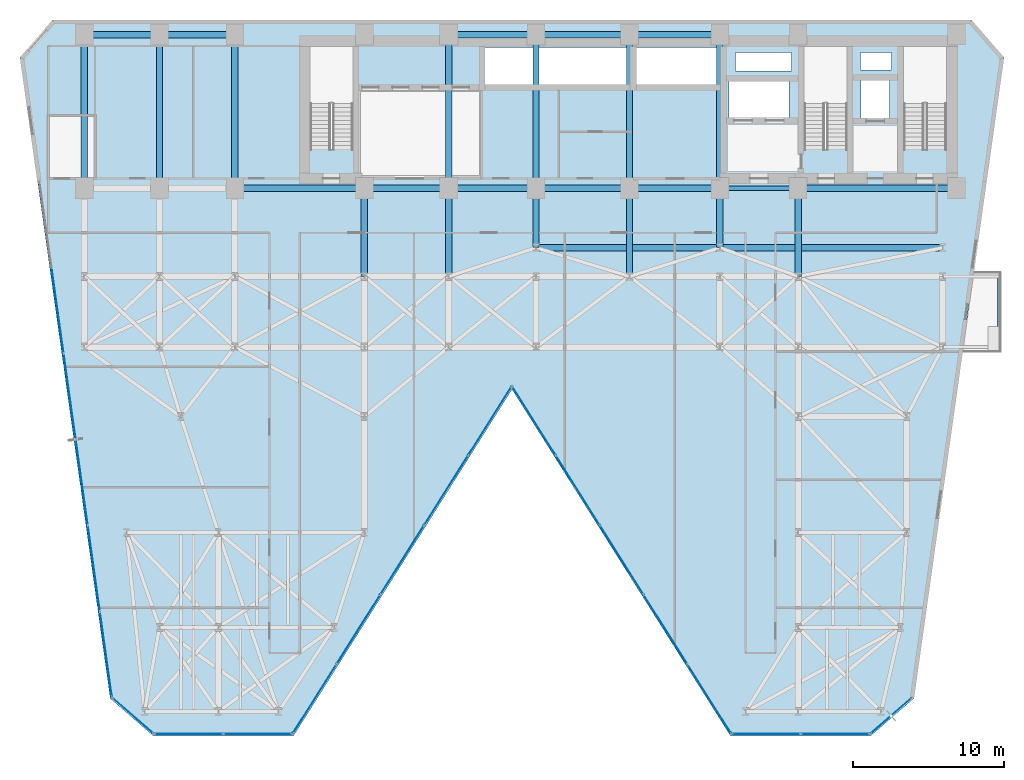
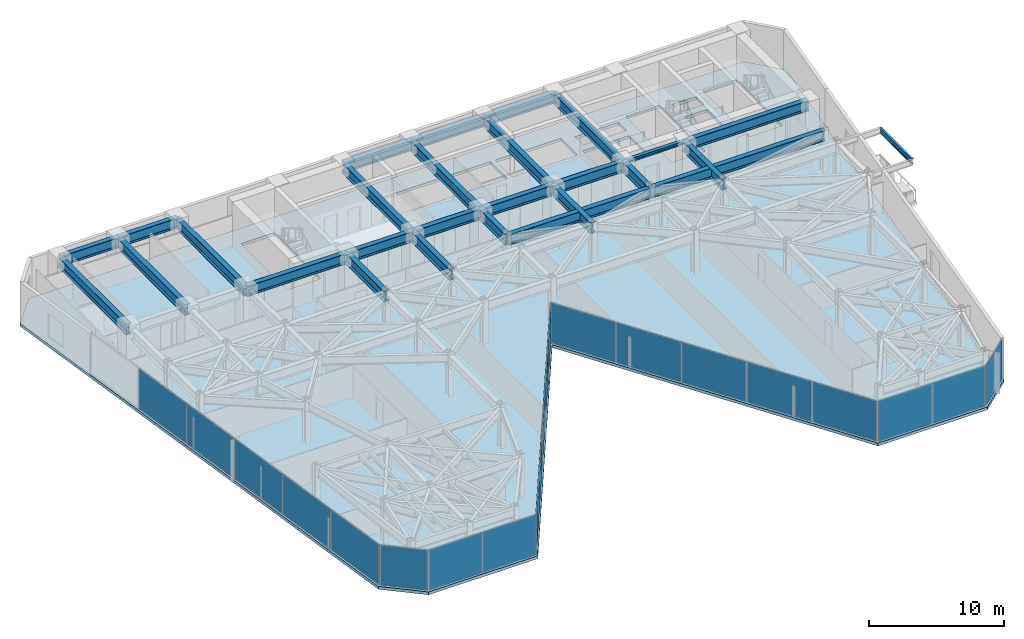
# One storey, part 18 of 25: 28 beams, 21 plates, 1 slab, 7 elements without a shape of their own.
"""IFC4 building model written with IfcOpenShell, lengths in metres."""

from ifc_helpers import new_model, si_unit, direction, frame, origin, origin_2d, place, context, subcontext, project, spatial, polyline, rectangle, i_section, outline, extrude, material, layer, layer_set, material_profile, profile_set, type_object, element, aggregate, save


model = new_model("IFC4")

# Units and contexts
model_context = context("Model", 3, precision=1e-05, world=origin(), true_north=direction((0.0, 1.0)))
body_context = subcontext(model_context, "Body", "Model", "MODEL_VIEW")
ifc_project = project(units=[si_unit("LENGTHUNIT", "METRE"), si_unit("AREAUNIT", "SQUARE_METRE"), si_unit("VOLUMEUNIT", "CUBIC_METRE"), si_unit("PLANEANGLEUNIT", "RADIAN"), si_unit("MASSUNIT", "GRAM", prefix="KILO")], contexts=[model_context])

# Site, building, storey
site_placement = place(None, origin())
site = spatial("IfcSite", under=ifc_project, at=site_placement, CompositionType="ELEMENT")
building_placement = place(site_placement, origin())
building = spatial("IfcBuilding", under=site, at=building_placement, Name="Kravanh Interchange Tower", CompositionType="ELEMENT")
storey_placement = place(building_placement, frame((0.0, 0.0, 57.5)))
storey = spatial("IfcBuildingStorey", under=building, at=storey_placement, Name="L13", CompositionType="ELEMENT", Elevation=57.5)

# Beams
ifc_material_1 = material(Name="Structural Steel S355", Category="steel")
ifc_material_profile_1 = material_profile(ifc_material_1, i_section(OverallWidth=0.41796875, OverallDepth=0.927001953125, WebThickness=0.019287109375, FlangeThickness=0.031982421875, FilletRadius=0.028076171875, at=origin_2d()), Name="W36X231")
ifc_profile_set_1 = profile_set([ifc_material_profile_1], Name="Structural Steel S355")
beam_type_1 = type_object("IfcBeamType", Name="Floor Beam W36X231 Structural Steel S355", PredefinedType="BEAM", material=ifc_profile_set_1)
beam_1_placement = place(storey_placement, frame((66.5, 37.35009765625, 3.276611328125), z_axis=(-1.0, 0.0, 0.0), x_axis=(0.0, -1.0, 0.0)))
element("IfcBeam", 1, at=beam_1_placement, inside=storey, type_object=beam_type_1, Name="L13 Primary Floor Girder 5", PredefinedType="BEAM", context=body_context, shape_type="SweptSolid", body=[
    extrude(i_section(OverallWidth=0.41796875, OverallDepth=0.927001953125, WebThickness=0.019287109375, FlangeThickness=0.031982421875, FilletRadius=0.028076171875, at=origin_2d()), origin(), (0.0, 0.0, 1.0), 10.5),
])
beam_2_placement = place(storey_placement, frame((56.0, 37.35009765625, 3.276611328125), z_axis=(0.0, -1.0, 0.0), x_axis=(1.0, 0.0, 0.0)))
element("IfcBeam", 2, at=beam_2_placement, inside=storey, type_object=beam_type_1, Name="L13 Primary Floor Girder 7", PredefinedType="BEAM", context=body_context, shape_type="SweptSolid", body=[
    extrude(i_section(OverallWidth=0.41796875, OverallDepth=0.927001953125, WebThickness=0.019287109375, FlangeThickness=0.031982421875, FilletRadius=0.028076171875, at=origin_2d()), origin(), (0.0, 0.0, 1.0), 5.85009765625),
])
beam_3_placement = place(storey_placement, frame((50.800048828125, 47.550048828125, 3.276611328125), z_axis=(-1.0, 0.0, 0.0), x_axis=(0.0, -1.0, 0.0)))
element("IfcBeam", 3, at=beam_3_placement, inside=storey, type_object=beam_type_1, Name="L13 Primary Floor Girder 8", PredefinedType="BEAM", context=body_context, shape_type="SweptSolid", body=[
    extrude(i_section(OverallWidth=0.41796875, OverallDepth=0.927001953125, WebThickness=0.019287109375, FlangeThickness=0.031982421875, FilletRadius=0.028076171875, at=origin_2d()), origin(), (0.0, 0.0, 1.0), 6.0),
])
beam_4_placement = place(storey_placement, frame((50.800048828125, 47.550048828125, 3.276611328125), z_axis=(0.0, -1.0, 0.0), x_axis=(1.0, 0.0, 0.0)))
element("IfcBeam", 4, at=beam_4_placement, inside=storey, type_object=beam_type_1, Name="L13 Primary Floor Girder 9", PredefinedType="BEAM", context=body_context, shape_type="SweptSolid", body=[
    extrude(i_section(OverallWidth=0.41796875, OverallDepth=0.927001953125, WebThickness=0.019287109375, FlangeThickness=0.031982421875, FilletRadius=0.028076171875, at=origin_2d()), origin(), (0.0, 0.0, 1.0), 10.199951171875),
])
beam_5_placement = place(storey_placement, frame((50.800048828125, 37.35009765625, 3.276611328125), z_axis=(0.0, -1.0, 0.0), x_axis=(1.0, 0.0, 0.0)))
element("IfcBeam", 5, at=beam_5_placement, inside=storey, type_object=beam_type_1, Name="L13 Primary Floor Girder 10", PredefinedType="BEAM", context=body_context, shape_type="SweptSolid", body=[
    extrude(i_section(OverallWidth=0.41796875, OverallDepth=0.927001953125, WebThickness=0.019287109375, FlangeThickness=0.031982421875, FilletRadius=0.028076171875, at=origin_2d()), origin(), (0.0, 0.0, 1.0), 3.9501953125),
])
beam_6_placement = place(storey_placement, frame((50.800048828125, 37.35009765625, 3.276611328125), z_axis=(-1.0, 0.0, 0.0), x_axis=(0.0, -1.0, 0.0)))
element("IfcBeam", 6, at=beam_6_placement, inside=storey, type_object=beam_type_1, Name="L13 Primary Floor Girder 11", PredefinedType="BEAM", context=body_context, shape_type="SweptSolid", body=[
    extrude(i_section(OverallWidth=0.41796875, OverallDepth=0.927001953125, WebThickness=0.019287109375, FlangeThickness=0.031982421875, FilletRadius=0.028076171875, at=origin_2d()), origin(), (0.0, 0.0, 1.0), 6.0),
])
beam_7_placement = place(storey_placement, frame((44.800048828125, 37.35009765625, 3.276611328125), z_axis=(0.0, -1.0, 0.0), x_axis=(1.0, 0.0, 0.0)))
element("IfcBeam", 7, at=beam_7_placement, inside=storey, type_object=beam_type_1, Name="L13 Primary Floor Girder 12", PredefinedType="BEAM", context=body_context, shape_type="SweptSolid", body=[
    extrude(i_section(OverallWidth=0.41796875, OverallDepth=0.927001953125, WebThickness=0.019287109375, FlangeThickness=0.031982421875, FilletRadius=0.028076171875, at=origin_2d()), origin(), (0.0, 0.0, 1.0), 5.85009765625),
])
beam_8_placement = place(storey_placement, frame((44.800048828125, 37.35009765625, 3.276611328125), z_axis=(-1.0, 0.0, 0.0), x_axis=(0.0, -1.0, 0.0)))
element("IfcBeam", 8, at=beam_8_placement, inside=storey, type_object=beam_type_1, Name="L13 Primary Floor Girder 13", PredefinedType="BEAM", context=body_context, shape_type="SweptSolid", body=[
    extrude(i_section(OverallWidth=0.41796875, OverallDepth=0.927001953125, WebThickness=0.019287109375, FlangeThickness=0.031982421875, FilletRadius=0.028076171875, at=origin_2d()), origin(), (0.0, 0.0, 1.0), 6.199951171875),
])
beam_9_placement = place(storey_placement, frame((44.800048828125, 37.35009765625, 3.276611328125), z_axis=(0.0, 1.0, 0.0), x_axis=(-1.0, 0.0, 0.0)))
element("IfcBeam", 9, at=beam_9_placement, inside=storey, type_object=beam_type_1, Name="L13 Primary Floor Girder 14", PredefinedType="BEAM", context=body_context, shape_type="SweptSolid", body=[
    extrude(i_section(OverallWidth=0.41796875, OverallDepth=0.927001953125, WebThickness=0.019287109375, FlangeThickness=0.031982421875, FilletRadius=0.028076171875, at=origin_2d()), origin(), (0.0, 0.0, 1.0), 10.199951171875),
])
beam_10_placement = place(storey_placement, frame((44.800048828125, 47.550048828125, 3.276611328125), z_axis=(-1.0, 0.0, 0.0), x_axis=(0.0, -1.0, 0.0)))
element("IfcBeam", 10, at=beam_10_placement, inside=storey, type_object=beam_type_1, Name="L13 Primary Floor Girder 15", PredefinedType="BEAM", context=body_context, shape_type="SweptSolid", body=[
    extrude(i_section(OverallWidth=0.41796875, OverallDepth=0.927001953125, WebThickness=0.019287109375, FlangeThickness=0.031982421875, FilletRadius=0.028076171875, at=origin_2d()), origin(), (0.0, 0.0, 1.0), 6.199951171875),
])
beam_11_placement = place(storey_placement, frame((38.60009765625, 37.35009765625, 3.276611328125), z_axis=(0.0, -1.0, 0.0), x_axis=(1.0, 0.0, 0.0)))
element("IfcBeam", 11, at=beam_11_placement, inside=storey, type_object=beam_type_1, Name="L13 Primary Floor Girder 16", PredefinedType="BEAM", context=body_context, shape_type="SweptSolid", body=[
    extrude(i_section(OverallWidth=0.41796875, OverallDepth=0.927001953125, WebThickness=0.019287109375, FlangeThickness=0.031982421875, FilletRadius=0.028076171875, at=origin_2d()), origin(), (0.0, 0.0, 1.0), 3.9501953125),
])
beam_12_placement = place(storey_placement, frame((38.60009765625, 37.35009765625, 3.276611328125), z_axis=(-1.0, 0.0, 0.0), x_axis=(0.0, -1.0, 0.0)))
element("IfcBeam", 12, at=beam_12_placement, inside=storey, type_object=beam_type_1, Name="L13 Primary Floor Girder 17", PredefinedType="BEAM", context=body_context, shape_type="SweptSolid", body=[
    extrude(i_section(OverallWidth=0.41796875, OverallDepth=0.927001953125, WebThickness=0.019287109375, FlangeThickness=0.031982421875, FilletRadius=0.028076171875, at=origin_2d()), origin(), (0.0, 0.0, 1.0), 5.800048828125),
])
beam_13_placement = place(storey_placement, frame((38.60009765625, 37.35009765625, 3.276611328125), z_axis=(0.0, 1.0, 0.0), x_axis=(-1.0, 0.0, 0.0)))
element("IfcBeam", 13, at=beam_13_placement, inside=storey, type_object=beam_type_1, Name="L13 Primary Floor Girder 18", PredefinedType="BEAM", context=body_context, shape_type="SweptSolid", body=[
    extrude(i_section(OverallWidth=0.41796875, OverallDepth=0.927001953125, WebThickness=0.019287109375, FlangeThickness=0.031982421875, FilletRadius=0.028076171875, at=origin_2d()), origin(), (0.0, 0.0, 1.0), 10.199951171875),
])
beam_14_placement = place(storey_placement, frame((38.60009765625, 47.550048828125, 3.276611328125), z_axis=(-1.0, 0.0, 0.0), x_axis=(0.0, -1.0, 0.0)))
element("IfcBeam", 14, at=beam_14_placement, inside=storey, type_object=beam_type_1, Name="L13 Primary Floor Girder 19", PredefinedType="BEAM", context=body_context, shape_type="SweptSolid", body=[
    extrude(i_section(OverallWidth=0.41796875, OverallDepth=0.927001953125, WebThickness=0.019287109375, FlangeThickness=0.031982421875, FilletRadius=0.028076171875, at=origin_2d()), origin(), (0.0, 0.0, 1.0), 5.800048828125),
])
beam_15_placement = place(storey_placement, frame((32.800048828125, 37.35009765625, 3.276611328125), z_axis=(-1.0, 0.0, 0.0), x_axis=(0.0, -1.0, 0.0)))
element("IfcBeam", 15, at=beam_15_placement, inside=storey, type_object=beam_type_1, Name="L13 Primary Floor Girder 20", PredefinedType="BEAM", context=body_context, shape_type="SweptSolid", body=[
    extrude(i_section(OverallWidth=0.41796875, OverallDepth=0.927001953125, WebThickness=0.019287109375, FlangeThickness=0.031982421875, FilletRadius=0.028076171875, at=origin_2d()), origin(), (0.0, 0.0, 1.0), 5.60009765625),
])
beam_16_placement = place(storey_placement, frame((32.800048828125, 37.35009765625, 3.276611328125), z_axis=(0.0, -1.0, 0.0), x_axis=(1.0, 0.0, 0.0)))
element("IfcBeam", 16, at=beam_16_placement, inside=storey, type_object=beam_type_1, Name="L13 Primary Floor Girder 21", PredefinedType="BEAM", context=body_context, shape_type="SweptSolid", body=[
    extrude(i_section(OverallWidth=0.41796875, OverallDepth=0.927001953125, WebThickness=0.019287109375, FlangeThickness=0.031982421875, FilletRadius=0.028076171875, at=origin_2d()), origin(), (0.0, 0.0, 1.0), 5.85009765625),
])
beam_17_placement = place(storey_placement, frame((32.800048828125, 37.35009765625, 3.276611328125), z_axis=(0.0, 1.0, 0.0), x_axis=(-1.0, 0.0, 0.0)))
element("IfcBeam", 17, at=beam_17_placement, inside=storey, type_object=beam_type_1, Name="L13 Primary Floor Girder 22", PredefinedType="BEAM", context=body_context, shape_type="SweptSolid", body=[
    extrude(i_section(OverallWidth=0.41796875, OverallDepth=0.927001953125, WebThickness=0.019287109375, FlangeThickness=0.031982421875, FilletRadius=0.028076171875, at=origin_2d()), origin(), (0.0, 0.0, 1.0), 10.199951171875),
])
beam_18_placement = place(storey_placement, frame((27.199951171875, 37.35009765625, 3.276611328125), z_axis=(0.0, -1.0, 0.0), x_axis=(1.0, 0.0, 0.0)))
element("IfcBeam", 18, at=beam_18_placement, inside=storey, type_object=beam_type_1, Name="L13 Primary Floor Girder 24", PredefinedType="BEAM", context=body_context, shape_type="SweptSolid", body=[
    extrude(i_section(OverallWidth=0.41796875, OverallDepth=0.927001953125, WebThickness=0.019287109375, FlangeThickness=0.031982421875, FilletRadius=0.028076171875, at=origin_2d()), origin(), (0.0, 0.0, 1.0), 5.85009765625),
])
beam_19_placement = place(storey_placement, frame((27.199951171875, 37.35009765625, 3.276611328125), z_axis=(-1.0, 0.0, 0.0), x_axis=(0.0, -1.0, 0.0)))
element("IfcBeam", 19, at=beam_19_placement, inside=storey, type_object=beam_type_1, Name="L13 Primary Floor Girder 25", PredefinedType="BEAM", context=body_context, shape_type="SweptSolid", body=[
    extrude(i_section(OverallWidth=0.41796875, OverallDepth=0.927001953125, WebThickness=0.019287109375, FlangeThickness=0.031982421875, FilletRadius=0.028076171875, at=origin_2d()), origin(), (0.0, 0.0, 1.0), 8.599853515625),
])
beam_20_placement = place(storey_placement, frame((18.60009765625, 37.35009765625, 3.276611328125), z_axis=(0.0, 1.0, 0.0), x_axis=(-1.0, 0.0, 0.0)))
element("IfcBeam", 20, at=beam_20_placement, inside=storey, type_object=beam_type_1, Name="L13 Primary Floor Girder 30", PredefinedType="BEAM", context=body_context, shape_type="SweptSolid", body=[
    extrude(i_section(OverallWidth=0.41796875, OverallDepth=0.927001953125, WebThickness=0.019287109375, FlangeThickness=0.031982421875, FilletRadius=0.028076171875, at=origin_2d()), origin(), (0.0, 0.0, 1.0), 10.199951171875),
])
beam_21_placement = place(storey_placement, frame((18.60009765625, 47.550048828125, 3.276611328125), z_axis=(-1.0, 0.0, 0.0), x_axis=(0.0, -1.0, 0.0)))
element("IfcBeam", 21, at=beam_21_placement, inside=storey, type_object=beam_type_1, Name="L13 Primary Floor Girder 31", PredefinedType="BEAM", context=body_context, shape_type="SweptSolid", body=[
    extrude(i_section(OverallWidth=0.41796875, OverallDepth=0.927001953125, WebThickness=0.019287109375, FlangeThickness=0.031982421875, FilletRadius=0.028076171875, at=origin_2d()), origin(), (0.0, 0.0, 1.0), 5.0),
])
beam_22_placement = place(storey_placement, frame((13.60009765625, 37.35009765625, 3.276611328125), z_axis=(0.0, 1.0, 0.0), x_axis=(-1.0, 0.0, 0.0)))
element("IfcBeam", 22, at=beam_22_placement, inside=storey, type_object=beam_type_1, Name="L13 Primary Floor Girder 34", PredefinedType="BEAM", context=body_context, shape_type="SweptSolid", body=[
    extrude(i_section(OverallWidth=0.41796875, OverallDepth=0.927001953125, WebThickness=0.019287109375, FlangeThickness=0.031982421875, FilletRadius=0.028076171875, at=origin_2d()), origin(), (0.0, 0.0, 1.0), 10.199951171875),
])
beam_23_placement = place(storey_placement, frame((13.60009765625, 47.550048828125, 3.276611328125), z_axis=(-1.0, 0.0, 0.0), x_axis=(0.0, -1.0, 0.0)))
element("IfcBeam", 23, at=beam_23_placement, inside=storey, type_object=beam_type_1, Name="L13 Primary Floor Girder 35", PredefinedType="BEAM", context=body_context, shape_type="SweptSolid", body=[
    extrude(i_section(OverallWidth=0.41796875, OverallDepth=0.927001953125, WebThickness=0.019287109375, FlangeThickness=0.031982421875, FilletRadius=0.028076171875, at=origin_2d()), origin(), (0.0, 0.0, 1.0), 5.0),
])
beam_24_placement = place(storey_placement, frame((8.60009765625, 37.35009765625, 3.276611328125), z_axis=(0.0, 1.0, 0.0), x_axis=(-1.0, 0.0, 0.0)))
element("IfcBeam", 24, at=beam_24_placement, inside=storey, type_object=beam_type_1, Name="L13 Primary Floor Girder 37", PredefinedType="BEAM", context=body_context, shape_type="SweptSolid", body=[
    extrude(i_section(OverallWidth=0.41796875, OverallDepth=0.927001953125, WebThickness=0.019287109375, FlangeThickness=0.031982421875, FilletRadius=0.028076171875, at=origin_2d()), origin(), (0.0, 0.0, 1.0), 10.199951171875),
])
beam_25_placement = place(storey_placement, frame((38.60009765625, 33.39990234375, 3.276611328125), z_axis=(1.0, 0.0, 0.0), x_axis=(0.0, 1.0, 0.0)))
element("IfcBeam", 25, at=beam_25_placement, inside=storey, type_object=beam_type_1, Name="L13 Primary Floor Girder 145", PredefinedType="BEAM", context=body_context, shape_type="SweptSolid", body=[
    extrude(i_section(OverallWidth=0.41796875, OverallDepth=0.927001953125, WebThickness=0.019287109375, FlangeThickness=0.031982421875, FilletRadius=0.028076171875, at=origin_2d()), origin(), (0.0, 0.0, 1.0), 12.199951171875),
])
beam_26_placement = place(storey_placement, frame((50.800048828125, 33.39990234375, 3.276611328125), z_axis=(1.0, 0.0, 0.0), x_axis=(0.0, 1.0, 0.0)))
element("IfcBeam", 26, at=beam_26_placement, inside=storey, type_object=beam_type_1, Name="L13 Primary Floor Girder 146", PredefinedType="BEAM", context=body_context, shape_type="SweptSolid", body=[
    extrude(i_section(OverallWidth=0.41796875, OverallDepth=0.927001953125, WebThickness=0.019287109375, FlangeThickness=0.031982421875, FilletRadius=0.028076171875, at=origin_2d()), origin(), (0.0, 0.0, 1.0), 14.800048828125),
])
ifc_material_2 = material(Name="Structural Steel S355", Category="steel")
ifc_material_profile_2 = material_profile(ifc_material_2, i_section(OverallWidth=0.18994140625, OverallDepth=0.45703125, WebThickness=0.009033203125, FlangeThickness=0.014404296875, FilletRadius=0.01806640625, at=origin_2d()), Name="W18X50")
ifc_profile_set_2 = profile_set([ifc_material_profile_2], Name="Structural Steel S355")
beam_type_2 = type_object("IfcBeamType", Name="Floor Joist W18X50 Structural Steel S355", PredefinedType="JOIST", material=ifc_profile_set_2)
beam_27_placement = place(storey_placement, frame((69.330078125, 26.800048828125, 3.511474609375), z_axis=(0.0, 1.0, 0.0), x_axis=(-1.0, 0.0, 0.0)))
element("IfcBeam", 27, at=beam_27_placement, inside=storey, type_object=beam_type_2, Name="L13 Balcony Edge Tie Beam E", PredefinedType="JOIST", context=body_context, shape_type="SweptSolid", body=[
    extrude(i_section(OverallWidth=0.18994140625, OverallDepth=0.45703125, WebThickness=0.009033203125, FlangeThickness=0.014404296875, FilletRadius=0.01806640625, at=origin_2d()), origin(), (0.0, 0.0, 1.0), 4.699951171875),
])
ifc_material_3 = material(Name="Structural Steel S355", Category="steel")
ifc_material_profile_3 = material_profile(ifc_material_3, i_section(OverallWidth=0.304931640625, OverallDepth=0.306884765625, WebThickness=0.010009765625, FlangeThickness=0.015380859375, FilletRadius=0.014892578125, at=origin_2d()), Name="W12X65")
ifc_profile_set_3 = profile_set([ifc_material_profile_3], Name="Structural Steel S355")
beam_type_3 = type_object("IfcBeamType", Name="Floor Lintel W12X65 Structural Steel S355", PredefinedType="LINTEL", material=ifc_profile_set_3)
beam_28_placement = place(storey_placement, frame((50.800048828125, 37.35009765625, 3.58642578125), z_axis=(1.0, 0.0, 0.0), x_axis=(0.0, 1.0, 0.0)))
element("IfcBeam", 28, at=beam_28_placement, inside=storey, type_object=beam_type_3, Name="L13 Core Coupling Lintel 1", PredefinedType="LINTEL", context=body_context, shape_type="SweptSolid", body=[
    extrude(i_section(OverallWidth=0.304931640625, OverallDepth=0.306884765625, WebThickness=0.010009765625, FlangeThickness=0.015380859375, FilletRadius=0.014892578125, at=origin_2d()), origin(), (0.0, 0.0, 1.0), 5.199951171875),
])

# Slab
ifc_material_4 = material(Name="Concrete C50/60", Category="concrete")
ifc_layer_1 = layer(ifc_material_4, 0.260009765625)
ifc_layer_set_1 = layer_set([ifc_layer_1], Name="Composite Floor Slab Concrete C50/60 260mm")
slab_type = type_object("IfcSlabType", Name="Composite Floor Slab Concrete C50/60 260mm", PredefinedType="FLOOR", material=ifc_layer_set_1)
slab_placement = place(storey_placement, frame((0.0, 0.0, -0.260009765625)))
element("IfcSlab", 29, at=slab_placement, inside=storey, type_object=slab_type, Name="L13 Structural Floor Slab", PredefinedType="FLOOR", context=body_context, shape_type="SweptSolid", body=[
    extrude(outline(polyline([(10.327880859375, 3.4755859375), (13.17578125, 1.0), (22.5, 1.0), (37.0, 24.0), (51.5, 1.0), (60.82421875, 1.0), (63.672119140625, 3.4755859375), (69.652099609375, 46.0244140625), (67.5, 48.5), (6.5, 48.5), (4.347900390625, 46.0244140625), (10.327880859375, 3.4755859375)]), holes=[polyline([(65.85009765625, 39.925048828125), (65.85009765625, 46.75), (63.0, 46.75), (63.0, 39.925048828125), (65.85009765625, 39.925048828125)]), polyline([(59.25, 39.925048828125), (59.25, 46.75), (56.39990234375, 46.75), (56.39990234375, 39.925048828125), (59.25, 39.925048828125)]), polyline([(26.449951171875, 39.925048828125), (26.449951171875, 46.75), (23.60009765625, 46.75), (23.60009765625, 39.925048828125), (26.449951171875, 39.925048828125)]), polyline([(35.179931640625, 44.219970703125), (44.840087890625, 44.219970703125), (44.840087890625, 46.699951171875), (35.179931640625, 46.699951171875), (35.179931640625, 44.219970703125)]), polyline([(45.239990234375, 44.219970703125), (50.840087890625, 44.219970703125), (50.840087890625, 46.699951171875), (45.239990234375, 46.699951171875), (45.239990234375, 44.219970703125)]), polyline([(51.419921875, 42.02001953125), (55.3798828125, 42.02001953125), (55.3798828125, 44.47998046875), (51.419921875, 44.47998046875), (51.419921875, 42.02001953125)]), polyline([(60.179931640625, 41.97998046875), (62.06005859375, 41.97998046875), (62.06005859375, 44.52001953125), (60.179931640625, 44.52001953125), (60.179931640625, 41.97998046875)]), polyline([(60.14990234375, 45.199951171875), (62.199951171875, 45.199951171875), (62.199951171875, 46.35009765625), (60.14990234375, 46.35009765625), (60.14990234375, 45.199951171875)]), polyline([(51.85009765625, 45.14990234375), (55.550048828125, 45.14990234375), (55.550048828125, 46.35009765625), (51.85009765625, 46.35009765625), (51.85009765625, 45.14990234375)])]), origin(), (0.0, 0.0, 1.0), 0.260009765625),
])

# Curtain wall, plates
ifc_material_5 = material(Name="Anodised Bronze Aluminium", Category="aluminium")
ifc_layer_2 = layer(ifc_material_5, 0.179931640625)
ifc_layer_set_2 = layer_set([ifc_layer_2], Name="Unitised Curtain Wall System CW-Z1 Lower Office")
curtain_wall_type = type_object("IfcCurtainWallType", Name="Unitised Curtain Wall System CW-Z1 Lower Office", PredefinedType="NOTDEFINED", material=ifc_layer_set_2)
curtain_wall_1_placement = place(storey_placement, origin())
curtain_wall_1 = element("IfcCurtainWall", 30, at=curtain_wall_1_placement, inside=storey, type_object=curtain_wall_type, Name="L13 Unitised Curtain Wall CW-L13-01", PredefinedType="NOTDEFINED")
ifc_material_6 = material(Name="Low-E Laminated Architectural Glass", Category="glass")
ifc_layer_3 = layer(ifc_material_6, 0.028076171875)
ifc_layer_set_3 = layer_set([ifc_layer_3], Name="Solar-Control Double Glazing 28mm")
plate_type = type_object("IfcPlateType", Name="Solar-Control Double Glazing 28mm", PredefinedType="CURTAIN_PANEL", material=ifc_layer_set_3)
plate_1_placement = place(storey_placement, frame((10.03662109375, 6.409423828125, 0.06005859375), z_axis=(0.0, 0.0, 1.0), x_axis=(-0.139176538065, 0.990267585682, 0.0)))
plate_1 = element("IfcPlate", 31, at=plate_1_placement, type_object=plate_type, Name="CW-Z1 panel 1.1", PredefinedType="CURTAIN_PANEL", context=body_context, shape_type="SweptSolid", body=[
    extrude(rectangle(XDim=5.66162109375, YDim=0.028076171875, at=origin_2d()), origin(), (0.0, 0.0, 1.0), 3.6201171875),
])
plate_2_placement = place(storey_placement, frame((9.236572265625, 12.1025390625, 0.06005859375), z_axis=(0.0, 0.0, 1.0), x_axis=(-0.139176538065, 0.990267585682, 0.0)))
plate_2 = element("IfcPlate", 32, at=plate_2_placement, type_object=plate_type, Name="CW-Z1 panel 2.1", PredefinedType="CURTAIN_PANEL", context=body_context, shape_type="SweptSolid", body=[
    extrude(rectangle(XDim=5.69677734375, YDim=0.028076171875, at=origin_2d()), origin(), (0.0, 0.0, 1.0), 3.6201171875),
])
plate_3_placement = place(storey_placement, frame((8.433837890625, 17.813232421875, 0.06005859375), z_axis=(0.0, 0.0, 1.0), x_axis=(-0.139176538065, 0.990267585682, 0.0)))
plate_3 = element("IfcPlate", 33, at=plate_3_placement, type_object=plate_type, Name="CW-Z1 panel 3.1", PredefinedType="CURTAIN_PANEL", context=body_context, shape_type="SweptSolid", body=[
    extrude(rectangle(XDim=5.69677734375, YDim=0.028076171875, at=origin_2d()), origin(), (0.0, 0.0, 1.0), 3.6201171875),
])
plate_4_placement = place(storey_placement, frame((7.63134765625, 23.523681640625, 0.06005859375), z_axis=(0.0, 0.0, 1.0), x_axis=(-0.139176538065, 0.990267585682, 0.0)))
plate_4 = element("IfcPlate", 34, at=plate_4_placement, type_object=plate_type, Name="CW-Z1 panel 4.1", PredefinedType="CURTAIN_PANEL", context=body_context, shape_type="SweptSolid", body=[
    extrude(rectangle(XDim=5.69677734375, YDim=0.028076171875, at=origin_2d()), origin(), (0.0, 0.0, 1.0), 3.6201171875),
])
plate_5_placement = place(storey_placement, frame((6.828857421875, 29.234130859375, 0.06005859375), z_axis=(0.0, 0.0, 1.0), x_axis=(-0.139176538065, 0.990267585682, 0.0)))
plate_5 = element("IfcPlate", 35, at=plate_5_placement, type_object=plate_type, Name="CW-Z1 panel 5.1", PredefinedType="CURTAIN_PANEL", context=body_context, shape_type="SweptSolid", body=[
    extrude(rectangle(XDim=5.69677734375, YDim=0.028076171875, at=origin_2d()), origin(), (0.0, 0.0, 1.0), 3.6201171875),
])
aggregate(curtain_wall_1, [plate_1, plate_2, plate_3, plate_4, plate_5])

# Curtain wall, plate
curtain_wall_2_placement = place(storey_placement, origin())
curtain_wall_2 = element("IfcCurtainWall", 36, at=curtain_wall_2_placement, inside=storey, type_object=curtain_wall_type, Name="L13 Unitised Curtain Wall CW-L13-02", PredefinedType="NOTDEFINED")
plate_6_placement = place(storey_placement, frame((62.16943359375, 2.328369140625, 0.06005859375), z_axis=(0.0, 0.0, 1.0), x_axis=(-0.754708368999, -0.656060422341, 0.0)))
plate_6 = element("IfcPlate", 37, at=plate_6_placement, type_object=plate_type, Name="CW-Z1 panel 1.1", PredefinedType="CURTAIN_PANEL", context=body_context, shape_type="SweptSolid", body=[
    extrude(rectangle(XDim=3.543701171875, YDim=0.028076171875, at=origin_2d()), origin(), (0.0, 0.0, 1.0), 3.6201171875),
])
aggregate(curtain_wall_2, [plate_6])

# Curtain wall, plates
curtain_wall_3_placement = place(storey_placement, origin())
curtain_wall_3 = element("IfcCurtainWall", 38, at=curtain_wall_3_placement, inside=storey, type_object=curtain_wall_type, Name="L13 Unitised Curtain Wall CW-L13-03", PredefinedType="NOTDEFINED")
plate_7_placement = place(storey_placement, frame((58.45849609375, 1.1201171875, 0.06005859375), z_axis=(0.0, 0.0, 1.0), x_axis=(-1.0, 0.0, 0.0)))
plate_7 = element("IfcPlate", 39, at=plate_7_placement, type_object=plate_type, Name="CW-Z1 panel 1.1", PredefinedType="CURTAIN_PANEL", context=body_context, shape_type="SweptSolid", body=[
    extrude(rectangle(XDim=4.501708984375, YDim=0.028076171875, at=origin_2d()), origin(), (0.0, 0.0, 1.0), 3.6201171875),
])
plate_8_placement = place(storey_placement, frame((53.886962890625, 1.1201171875, 0.06005859375), z_axis=(0.0, 0.0, 1.0), x_axis=(-1.0, 0.0, 0.0)))
plate_8 = element("IfcPlate", 40, at=plate_8_placement, type_object=plate_type, Name="CW-Z1 panel 2.1", PredefinedType="CURTAIN_PANEL", context=body_context, shape_type="SweptSolid", body=[
    extrude(rectangle(XDim=4.501708984375, YDim=0.028076171875, at=origin_2d()), origin(), (0.0, 0.0, 1.0), 3.6201171875),
])
aggregate(curtain_wall_3, [plate_7, plate_8])

curtain_wall_4_placement = place(storey_placement, origin())
curtain_wall_4 = element("IfcCurtainWall", 41, at=curtain_wall_4_placement, inside=storey, type_object=curtain_wall_type, Name="L13 Unitised Curtain Wall CW-L13-04", PredefinedType="NOTDEFINED")
plate_9_placement = place(storey_placement, frame((50.100341796875, 3.4453125, 0.06005859375), z_axis=(0.0, 0.0, 1.0), x_axis=(-0.53330103728, 0.845925530786, 0.0)))
plate_9 = element("IfcPlate", 42, at=plate_9_placement, type_object=plate_type, Name="CW-Z1 panel 1.1", PredefinedType="CURTAIN_PANEL", context=body_context, shape_type="SweptSolid", body=[
    extrude(rectangle(XDim=5.357666015625, YDim=0.028076171875, at=origin_2d()), origin(), (0.0, 0.0, 1.0), 3.6201171875),
])
plate_10_placement = place(storey_placement, frame((47.1962890625, 8.051513671875, 0.06005859375), z_axis=(0.0, 0.0, 1.0), x_axis=(-0.53330103728, 0.845925530786, 0.0)))
plate_10 = element("IfcPlate", 43, at=plate_10_placement, type_object=plate_type, Name="CW-Z1 panel 2.1", PredefinedType="CURTAIN_PANEL", context=body_context, shape_type="SweptSolid", body=[
    extrude(rectangle(XDim=5.392578125, YDim=0.028076171875, at=origin_2d()), origin(), (0.0, 0.0, 1.0), 3.6201171875),
])
plate_11_placement = place(storey_placement, frame((44.283203125, 12.672607421875, 0.06005859375), z_axis=(0.0, 0.0, 1.0), x_axis=(-0.53330103728, 0.845925530786, 0.0)))
plate_11 = element("IfcPlate", 44, at=plate_11_placement, type_object=plate_type, Name="CW-Z1 panel 3.1", PredefinedType="CURTAIN_PANEL", context=body_context, shape_type="SweptSolid", body=[
    extrude(rectangle(XDim=5.392578125, YDim=0.028076171875, at=origin_2d()), origin(), (0.0, 0.0, 1.0), 3.6201171875),
])
plate_12_placement = place(storey_placement, frame((41.369873046875, 17.29345703125, 0.06005859375), z_axis=(0.0, 0.0, 1.0), x_axis=(-0.53330103728, 0.845925530786, 0.0)))
plate_12 = element("IfcPlate", 45, at=plate_12_placement, type_object=plate_type, Name="CW-Z1 panel 4.1", PredefinedType="CURTAIN_PANEL", context=body_context, shape_type="SweptSolid", body=[
    extrude(rectangle(XDim=5.392578125, YDim=0.028076171875, at=origin_2d()), origin(), (0.0, 0.0, 1.0), 3.6201171875),
])
plate_13_placement = place(storey_placement, frame((38.466064453125, 21.899658203125, 0.06005859375), z_axis=(0.0, 0.0, 1.0), x_axis=(-0.53330103728, 0.845925530786, 0.0)))
plate_13 = element("IfcPlate", 46, at=plate_13_placement, type_object=plate_type, Name="CW-Z1 panel 5.1", PredefinedType="CURTAIN_PANEL", context=body_context, shape_type="SweptSolid", body=[
    extrude(rectangle(XDim=5.357666015625, YDim=0.028076171875, at=origin_2d()), origin(), (0.0, 0.0, 1.0), 3.6201171875),
])
aggregate(curtain_wall_4, [plate_9, plate_10, plate_11, plate_12, plate_13])

curtain_wall_5_placement = place(storey_placement, origin())
curtain_wall_5 = element("IfcCurtainWall", 47, at=curtain_wall_5_placement, inside=storey, type_object=curtain_wall_type, Name="L13 Unitised Curtain Wall CW-L13-05", PredefinedType="NOTDEFINED")
plate_14_placement = place(storey_placement, frame((35.533935546875, 21.899658203125, 0.06005859375), z_axis=(0.0, 0.0, 1.0), x_axis=(-0.53330103728, -0.845925530786, 0.0)))
plate_14 = element("IfcPlate", 48, at=plate_14_placement, type_object=plate_type, Name="CW-Z1 panel 1.1", PredefinedType="CURTAIN_PANEL", context=body_context, shape_type="SweptSolid", body=[
    extrude(rectangle(XDim=5.357666015625, YDim=0.028076171875, at=origin_2d()), origin(), (0.0, 0.0, 1.0), 3.6201171875),
])
plate_15_placement = place(storey_placement, frame((32.630126953125, 17.29345703125, 0.06005859375), z_axis=(0.0, 0.0, 1.0), x_axis=(-0.53330103728, -0.845925530786, 0.0)))
plate_15 = element("IfcPlate", 49, at=plate_15_placement, type_object=plate_type, Name="CW-Z1 panel 2.1", PredefinedType="CURTAIN_PANEL", context=body_context, shape_type="SweptSolid", body=[
    extrude(rectangle(XDim=5.392578125, YDim=0.028076171875, at=origin_2d()), origin(), (0.0, 0.0, 1.0), 3.6201171875),
])
plate_16_placement = place(storey_placement, frame((29.716796875, 12.672607421875, 0.06005859375), z_axis=(0.0, 0.0, 1.0), x_axis=(-0.53330103728, -0.845925530786, 0.0)))
plate_16 = element("IfcPlate", 50, at=plate_16_placement, type_object=plate_type, Name="CW-Z1 panel 3.1", PredefinedType="CURTAIN_PANEL", context=body_context, shape_type="SweptSolid", body=[
    extrude(rectangle(XDim=5.392578125, YDim=0.028076171875, at=origin_2d()), origin(), (0.0, 0.0, 1.0), 3.6201171875),
])
plate_17_placement = place(storey_placement, frame((26.8037109375, 8.051513671875, 0.06005859375), z_axis=(0.0, 0.0, 1.0), x_axis=(-0.53330103728, -0.845925530786, 0.0)))
plate_17 = element("IfcPlate", 51, at=plate_17_placement, type_object=plate_type, Name="CW-Z1 panel 4.1", PredefinedType="CURTAIN_PANEL", context=body_context, shape_type="SweptSolid", body=[
    extrude(rectangle(XDim=5.392578125, YDim=0.028076171875, at=origin_2d()), origin(), (0.0, 0.0, 1.0), 3.6201171875),
])
plate_18_placement = place(storey_placement, frame((23.899658203125, 3.4453125, 0.06005859375), z_axis=(0.0, 0.0, 1.0), x_axis=(-0.53330103728, -0.845925530786, 0.0)))
plate_18 = element("IfcPlate", 52, at=plate_18_placement, type_object=plate_type, Name="CW-Z1 panel 5.1", PredefinedType="CURTAIN_PANEL", context=body_context, shape_type="SweptSolid", body=[
    extrude(rectangle(XDim=5.357666015625, YDim=0.028076171875, at=origin_2d()), origin(), (0.0, 0.0, 1.0), 3.6201171875),
])
aggregate(curtain_wall_5, [plate_14, plate_15, plate_16, plate_17, plate_18])

curtain_wall_6_placement = place(storey_placement, origin())
curtain_wall_6 = element("IfcCurtainWall", 53, at=curtain_wall_6_placement, inside=storey, type_object=curtain_wall_type, Name="L13 Unitised Curtain Wall CW-L13-06", PredefinedType="NOTDEFINED")
plate_19_placement = place(storey_placement, frame((20.113037109375, 1.1201171875, 0.06005859375), z_axis=(0.0, 0.0, 1.0), x_axis=(-1.0, 0.0, 0.0)))
plate_19 = element("IfcPlate", 54, at=plate_19_placement, type_object=plate_type, Name="CW-Z1 panel 1.1", PredefinedType="CURTAIN_PANEL", context=body_context, shape_type="SweptSolid", body=[
    extrude(rectangle(XDim=4.501708984375, YDim=0.028076171875, at=origin_2d()), origin(), (0.0, 0.0, 1.0), 3.6201171875),
])
plate_20_placement = place(storey_placement, frame((15.54150390625, 1.1201171875, 0.06005859375), z_axis=(0.0, 0.0, 1.0), x_axis=(-1.0, 0.0, 0.0)))
plate_20 = element("IfcPlate", 55, at=plate_20_placement, type_object=plate_type, Name="CW-Z1 panel 2.1", PredefinedType="CURTAIN_PANEL", context=body_context, shape_type="SweptSolid", body=[
    extrude(rectangle(XDim=4.501708984375, YDim=0.028076171875, at=origin_2d()), origin(), (0.0, 0.0, 1.0), 3.6201171875),
])
aggregate(curtain_wall_6, [plate_19, plate_20])

# Curtain wall, plate
curtain_wall_7_placement = place(storey_placement, origin())
curtain_wall_7 = element("IfcCurtainWall", 56, at=curtain_wall_7_placement, inside=storey, type_object=curtain_wall_type, Name="L13 Unitised Curtain Wall CW-L13-07", PredefinedType="NOTDEFINED")
plate_21_placement = place(storey_placement, frame((11.83056640625, 2.328369140625, 0.06005859375), z_axis=(0.0, 0.0, 1.0), x_axis=(-0.754708368999, 0.656060422341, 0.0)))
plate_21 = element("IfcPlate", 57, at=plate_21_placement, type_object=plate_type, Name="CW-Z1 panel 1.1", PredefinedType="CURTAIN_PANEL", context=body_context, shape_type="SweptSolid", body=[
    extrude(rectangle(XDim=3.543701171875, YDim=0.028076171875, at=origin_2d()), origin(), (0.0, 0.0, 1.0), 3.6201171875),
])
aggregate(curtain_wall_7, [plate_21])

save(model, "model.ifc")
